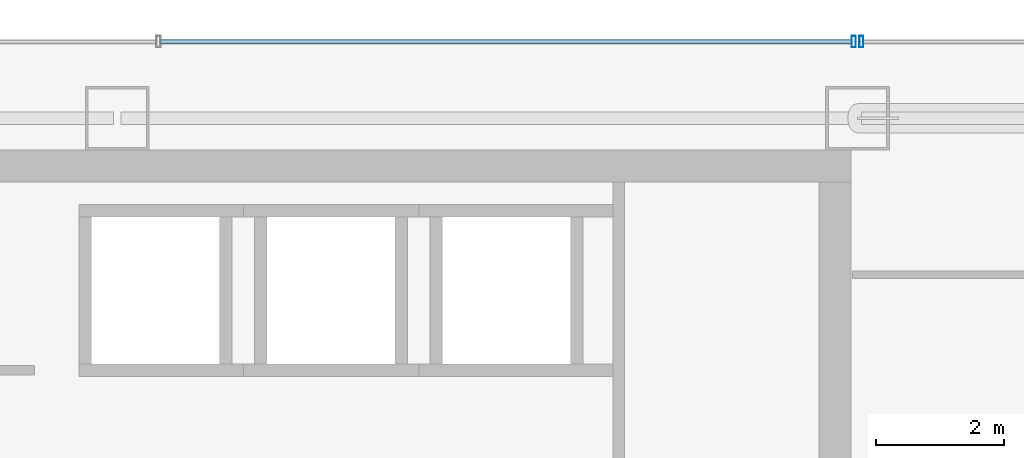
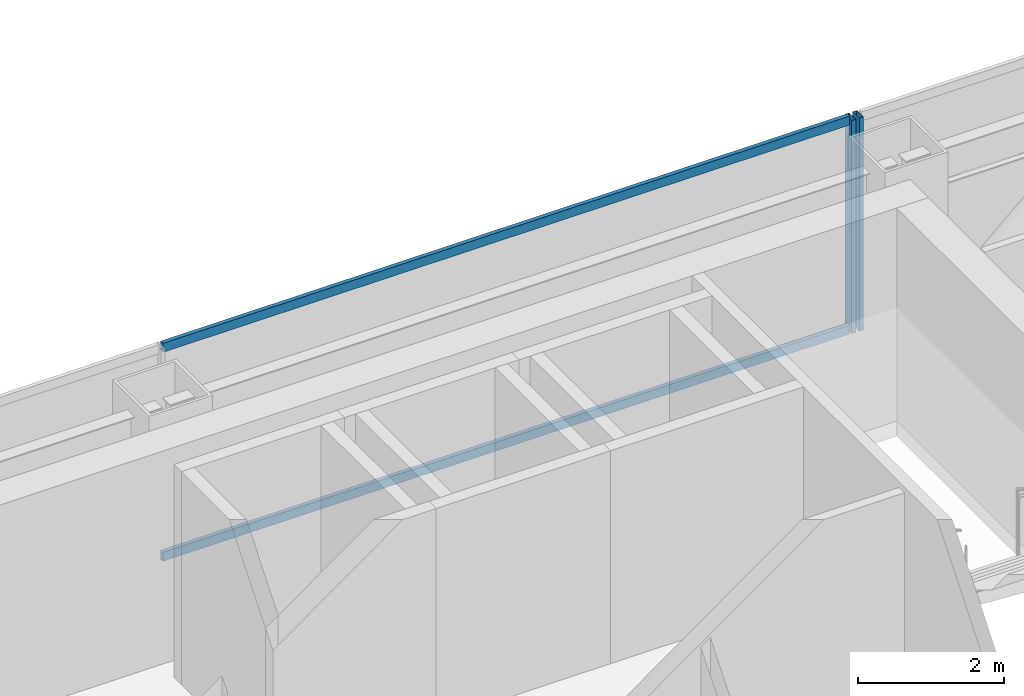
# One storey, part 27 of 37: 4 members, 2 elements without a shape of their own.
"""IFC4 building model written with IfcOpenShell, lengths in metres."""

from ifc_helpers import new_model, si_unit, direction, frame, origin, origin_2d, place, context, subcontext, project, spatial, hollow_rectangle, extrude, material, material_profile, profile_set, type_object, element, aggregate, save


model = new_model("IFC4")

# Units and contexts
model_context = context("Model", 3, precision=1e-05, world=origin(), true_north=direction((0.0, 1.0)))
body_context = subcontext(model_context, "Body", "Model", "MODEL_VIEW")
ifc_project = project(units=[si_unit("LENGTHUNIT", "METRE"), si_unit("AREAUNIT", "SQUARE_METRE"), si_unit("VOLUMEUNIT", "CUBIC_METRE"), si_unit("PLANEANGLEUNIT", "RADIAN"), si_unit("MASSUNIT", "GRAM", prefix="KILO")], contexts=[model_context])

# Site, building, storey
site_placement = place(None, origin())
site = spatial("IfcSite", under=ifc_project, at=site_placement, CompositionType="ELEMENT")
building_placement = place(site_placement, origin())
building = spatial("IfcBuilding", under=site, at=building_placement, Name="Saevonmaru Cultural Tower", CompositionType="ELEMENT")
storey_placement = place(building_placement, frame((0.0, 0.0, 163.800048828125)))
storey = spatial("IfcBuildingStorey", under=building, at=storey_placement, Name="L36", CompositionType="ELEMENT", Elevation=163.800048828125)

# Curtain wall, member
ifc_material = material(Name="Satin Bronze Anodised Aluminium", Category="aluminium")
curtain_wall_type = type_object("IfcCurtainWallType", Name="CW-TYP-A", PredefinedType="NOTDEFINED", material=ifc_material)
curtain_wall_1_placement = place(storey_placement, origin())
curtain_wall_1 = element("IfcCurtainWall", 1, at=curtain_wall_1_placement, inside=storey, type_object=curtain_wall_type, Name="L36 East Braced Bay Spandrel Curtain Wall E10A", PredefinedType="NOTDEFINED")
ifc_material_profile_1 = material_profile(ifc_material, hollow_rectangle(XDim=0.06494140625, YDim=0.179931640625, WallThickness=0.00390625, at=origin_2d()), Name="ALU-MULL-180x65x4")
ifc_profile_set_1 = profile_set([ifc_material_profile_1], Name="Satin Bronze Anodised Aluminium")
member_type_1 = type_object("IfcMemberType", Name="ML-CW-180x65", PredefinedType="MULLION", material=ifc_profile_set_1)
member_1_placement = place(storey_placement, frame((46.4599609375, 56.0, 0.0), z_axis=(0.0, 0.0, 1.0), x_axis=(-1.0, 0.0, 0.0)))
member_1 = element("IfcMember", 2, at=member_1_placement, type_object=member_type_1, Name="CW-TW-L36-E10A mullion 2", PredefinedType="MULLION", context=body_context, shape_type="SweptSolid", body=[
    extrude(hollow_rectangle(XDim=0.06494140625, YDim=0.179931640625, WallThickness=0.00390625, at=origin_2d()), origin(), (0.0, 0.0, 1.0), 3.550048828125),
])
aggregate(curtain_wall_1, [member_1])

# Curtain wall, members
curtain_wall_2_placement = place(storey_placement, origin())
curtain_wall_2 = element("IfcCurtainWall", 3, at=curtain_wall_2_placement, inside=storey, type_object=curtain_wall_type, Name="L36 North Spine Unitised Curtain Wall E10B", PredefinedType="NOTDEFINED")
member_2_placement = place(storey_placement, frame((46.340087890625, 56.0, 0.0), z_axis=(0.0, 0.0, 1.0), x_axis=(-1.0, 0.0, 0.0)))
member_2 = element("IfcMember", 4, at=member_2_placement, type_object=member_type_1, Name="CW-TW-L36-E10B mullion 1", PredefinedType="MULLION", context=body_context, shape_type="SweptSolid", body=[
    extrude(hollow_rectangle(XDim=0.06494140625, YDim=0.179931640625, WallThickness=0.00390625, at=origin_2d()), origin(), (0.0, 0.0, 1.0), 3.550048828125),
])
ifc_material_profile_2 = material_profile(ifc_material, hollow_rectangle(XDim=0.06494140625, YDim=0.14990234375, WallThickness=0.00390625, at=origin_2d()), Name="ALU-TRAN-150x65x4")
ifc_profile_set_2 = profile_set([ifc_material_profile_2], Name="Satin Bronze Anodised Aluminium")
member_type_2 = type_object("IfcMemberType", Name="TR-CW-150x65", PredefinedType="USERDEFINED", material=ifc_profile_set_2)
member_3_placement = place(storey_placement, frame((46.3076171875, 56.0, 0.032470703125), z_axis=(-1.0, 0.0, 0.0), x_axis=(0.0, -1.0, 0.0)))
member_3 = element("IfcMember", 5, at=member_3_placement, type_object=member_type_2, Name="CW-TW-L36-E10B transom 1.1", ObjectType="TRANSOM", PredefinedType="USERDEFINED", context=body_context, shape_type="SweptSolid", body=[
    extrude(hollow_rectangle(XDim=0.06494140625, YDim=0.14990234375, WallThickness=0.00390625, at=origin_2d()), origin(), (0.0, 0.0, 1.0), 10.828369140625),
])
member_4_placement = place(storey_placement, frame((46.3076171875, 56.0, 3.517333984375), z_axis=(-1.0, 0.0, 0.0), x_axis=(0.0, -1.0, 0.0)))
member_4 = element("IfcMember", 6, at=member_4_placement, type_object=member_type_2, Name="CW-TW-L36-E10B transom 1.2", ObjectType="TRANSOM", PredefinedType="USERDEFINED", context=body_context, shape_type="SweptSolid", body=[
    extrude(hollow_rectangle(XDim=0.06494140625, YDim=0.14990234375, WallThickness=0.00390625, at=origin_2d()), origin(), (0.0, 0.0, 1.0), 10.828369140625),
])
aggregate(curtain_wall_2, [member_2, member_3, member_4])

save(model, "model.ifc")
